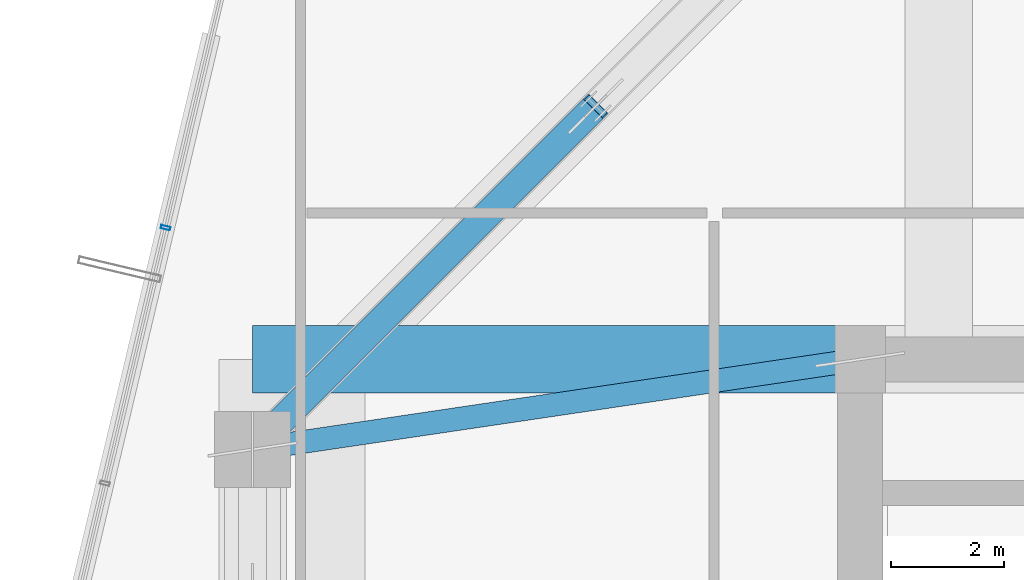
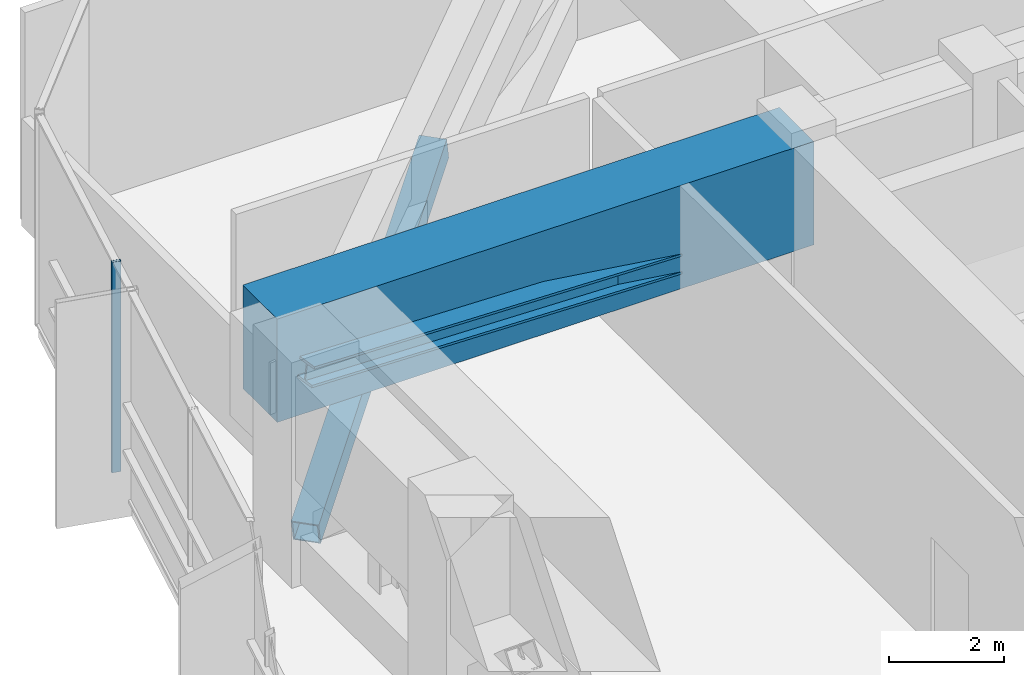
# One storey, part 12 of 41: 3 members, 1 beam, 1 element without a shape of its own.
"""IFC4 building model written with IfcOpenShell, lengths in metres."""

import ifcopenshell
import ifcopenshell.guid

model = None  # the IFC model being written
_history = None  # IfcOwnerHistory: only IFC2X3 demands one
_inside = {}  # id of a spatial element -> (the spatial element, [elements in it])
_under = {}  # id of a project, library or spatial element -> (it, [spatial elements below it])
_declared = {}  # id of a project -> (the project, [libraries it declares])
_typed = {}  # id of a type object -> (the type object, [elements of that type])
_made_of = {}  # id of a material, layer set ... -> (it, [elements and type objects made of it])


def new_model(schema):
    """Start an empty IFC model of exactly this schema.

    Asked for "IFC4X3", IfcOpenShell would pick the latest addendum, in which some entities
    have other attributes; the version numbers below select the first issue.
    IFC2X3 requires an IfcOwnerHistory on every rooted entity: one is made here for all.
    """
    global model, _history
    if schema == "IFC4X3":
        model = ifcopenshell.file(schema_version=(4, 3, 0, 0))
    else:
        model = ifcopenshell.file(schema=schema)
    _inside.clear()
    _under.clear()
    _declared.clear()
    _typed.clear()
    _made_of.clear()
    _history = None
    if model.schema == "IFC2X3":
        org = make("IfcOrganization", Name="unknown")
        user = make(
            "IfcPersonAndOrganization",
            ThePerson=make("IfcPerson", FamilyName="unknown"),
            TheOrganization=org,
        )
        app = make(
            "IfcApplication",
            ApplicationDeveloper=org,
            Version="unknown",
            ApplicationFullName="unknown",
            ApplicationIdentifier="unknown",
        )
        _history = make(
            "IfcOwnerHistory",
            OwningUser=user,
            OwningApplication=app,
            ChangeAction="ADDED",
            CreationDate=0,
        )
    return model


def make(cls, **values):
    """One entity of the class cls with the attributes given. An attribute that is None is left unset."""
    return model.create_entity(
        cls, **{name: value for name, value in values.items() if value is not None}
    )


def rooted(cls, **values):
    """An entity with a GlobalId (a new one), such as an element, a storey or a relation."""
    return make(cls, GlobalId=ifcopenshell.guid.new(), OwnerHistory=_history, **values)


def si_unit(unit_type, name, prefix=None):
    """IfcSIUnit, for example si_unit("LENGTHUNIT", "METRE", prefix="MILLI")."""
    return make("IfcSIUnit", UnitType=unit_type, Prefix=prefix, Name=name)


def assignment(units):
    """IfcUnitAssignment: the units of a project."""
    return None if units is None else make("IfcUnitAssignment", Units=units)


def point(xyz):
    """IfcCartesianPoint."""
    return None if xyz is None else make("IfcCartesianPoint", Coordinates=xyz)


def direction(xyz):
    """IfcDirection."""
    return None if xyz is None else make("IfcDirection", DirectionRatios=xyz)


def frame(location, z_axis=None, x_axis=None):
    """IfcAxis2Placement3D, a coordinate frame: its origin and axes. An axis left out is left unset."""
    return make(
        "IfcAxis2Placement3D",
        Location=point(location),
        Axis=direction(z_axis),
        RefDirection=direction(x_axis),
    )


def frame_2d(location, x_axis=None):
    """IfcAxis2Placement2D, a coordinate frame in the plane: its origin and x axis."""
    return make(
        "IfcAxis2Placement2D", Location=point(location), RefDirection=direction(x_axis)
    )


def origin():
    """The frame at (0, 0, 0) with its axes left unset."""
    return frame((0.0, 0.0, 0.0))


def origin_2d():
    """The frame at (0, 0) in the plane with its x axis left unset."""
    return frame_2d((0.0, 0.0))


def place(relative_to, where):
    """IfcLocalPlacement: puts the frame where relative to a parent placement (None: the world)."""
    return make(
        "IfcLocalPlacement", PlacementRelTo=relative_to, RelativePlacement=where
    )


def context(
    kind, dimensions, precision=None, world=None, true_north=None, identifier=None
):
    """IfcGeometricRepresentationContext, for example the 3D "Model" context."""
    return make(
        "IfcGeometricRepresentationContext",
        ContextIdentifier=identifier,
        ContextType=kind,
        CoordinateSpaceDimension=dimensions,
        Precision=precision,
        WorldCoordinateSystem=world,
        TrueNorth=true_north,
    )


def subcontext(parent, identifier, kind, view, scale=None):
    """IfcGeometricRepresentationSubContext, for example "Body" below "Model"."""
    return make(
        "IfcGeometricRepresentationSubContext",
        ContextIdentifier=identifier,
        ContextType=kind,
        ParentContext=parent,
        TargetScale=scale,
        TargetView=view,
    )


def project(units=None, contexts=None):
    """IfcProject with its units and contexts."""
    return rooted(
        "IfcProject",
        Name="project",
        RepresentationContexts=contexts,
        UnitsInContext=assignment(units),
    )


def spatial(cls, under=None, at=None, **own):
    """A site, building, storey or space (cls), placed at a placement, below another one or the project."""
    s = rooted(cls, ObjectPlacement=at, **own)
    if under is not None:
        _under.setdefault(under.id(), (under, []))[1].append(s)
    return s


def profile(cls, at=None, kind="AREA", **sizes):
    """A parametric profile (cls). Its sizes go by their IFC names, for example OverallWidth=200.0."""
    return make(cls, ProfileType=kind, Position=at, **sizes)


def rectangle(**sizes):
    """IfcRectangleProfileDef."""
    return profile("IfcRectangleProfileDef", **sizes)


def hollow_rectangle(**sizes):
    """IfcRectangleHollowProfileDef."""
    return profile("IfcRectangleHollowProfileDef", **sizes)


def i_section(**sizes):
    """IfcIShapeProfileDef."""
    return profile("IfcIShapeProfileDef", **sizes)


def extrude(swept, where, along, depth):
    """IfcExtrudedAreaSolid: the profile swept, set in the frame where, extruded along a direction by depth."""
    return make(
        "IfcExtrudedAreaSolid",
        SweptArea=swept,
        Position=where,
        ExtrudedDirection=direction(along),
        Depth=depth,
    )


def shape(context_of_items, identifier, shape_type, items):
    """IfcShapeRepresentation: the items that make up one representation, for example the "Body"."""
    return make(
        "IfcShapeRepresentation",
        ContextOfItems=context_of_items,
        RepresentationIdentifier=identifier,
        RepresentationType=shape_type,
        Items=items,
    )


def source(mapping_origin, context_of_items, identifier, shape_type, items):
    """IfcRepresentationMap: a shape defined once, which mapped items show again and again."""
    return make(
        "IfcRepresentationMap",
        MappingOrigin=mapping_origin,
        MappedRepresentation=shape(context_of_items, identifier, shape_type, items),
    )


def transform(
    local_origin,
    x_axis=None,
    y_axis=None,
    z_axis=None,
    scale=None,
    scale2=None,
    scale3=None,
    uniform=True,
):
    """IfcCartesianTransformationOperator3D, or its non-uniform kind. x_axis, y_axis, z_axis: its Axis1, 2, 3."""
    if uniform:
        return make(
            "IfcCartesianTransformationOperator3D",
            Axis1=direction(x_axis),
            Axis2=direction(y_axis),
            LocalOrigin=point(local_origin),
            Scale=scale,
            Axis3=direction(z_axis),
        )
    return make(
        "IfcCartesianTransformationOperator3DnonUniform",
        Axis1=direction(x_axis),
        Axis2=direction(y_axis),
        LocalOrigin=point(local_origin),
        Scale=scale,
        Axis3=direction(z_axis),
        Scale2=scale2,
        Scale3=scale3,
    )


def mapped(mapping_source, mapping_target):
    """IfcMappedItem: shows the shape of a source again, moved by a transform."""
    return make(
        "IfcMappedItem", MappingSource=mapping_source, MappingTarget=mapping_target
    )


def material(Name=None, Category=None):
    """IfcMaterial."""
    return make("IfcMaterial", Name=Name, Category=Category)


def layer(
    of_material, thickness, ventilated=None, Name=None, Category=None, Priority=None
):
    """IfcMaterialLayer: one layer of a wall or slab, of a material (None: an air gap)."""
    return make(
        "IfcMaterialLayer",
        Material=of_material,
        LayerThickness=thickness,
        IsVentilated=ventilated,
        Name=Name,
        Category=Category,
        Priority=Priority,
    )


def layer_set(layers, Name=None):
    """IfcMaterialLayerSet."""
    return make("IfcMaterialLayerSet", MaterialLayers=layers, LayerSetName=Name)


def material_profile(
    of_material, cross_section, Name=None, Category=None, Priority=None
):
    """IfcMaterialProfile: a cross section and its material."""
    return make(
        "IfcMaterialProfile",
        Name=Name,
        Material=of_material,
        Profile=cross_section,
        Priority=Priority,
        Category=Category,
    )


def profile_set(profiles, Name=None, composite=None):
    """IfcMaterialProfileSet."""
    return make(
        "IfcMaterialProfileSet",
        Name=Name,
        MaterialProfiles=profiles,
        CompositeProfile=composite,
    )


def made_of(thing, what):
    """Note that an element or type object is made of a material, layer set ...; save() writes the relation."""
    if what is not None:
        _made_of.setdefault(what.id(), (what, []))[1].append(thing)
    return thing


def type_object(cls, material=None, **own):
    """A type object (cls), such as IfcWallType, which elements share."""
    return made_of(rooted(cls, **own), material)


def element(
    cls,
    number,
    at=None,
    inside=None,
    cuts=None,
    type_object=None,
    material=None,
    context=None,
    identifier="Body",
    shape_type=None,
    held_by="IfcProductDefinitionShape",
    body=None,
    shapes=None,
    **own,
):
    """One element of the class cls, such as IfcWall. Its Tag is "e" and its number.

    at: its placement. inside: the storey or other place that contains it. cuts: it is an
    opening in that element (IfcRelVoidsElement). A single representation is given by context,
    identifier, shape_type and body (its items); several are given by shapes. held_by: the class
    of the entity that holds the representations. save() writes the other relations.
    """
    e = rooted(cls, Tag="e%d" % number, ObjectPlacement=at, **own)
    if body is not None:
        shapes = [shape(context, identifier, shape_type, body)]
    if shapes is not None:
        e.Representation = make(held_by, Representations=shapes)
    if inside is not None:
        _inside.setdefault(inside.id(), (inside, []))[1].append(e)
    if cuts is not None:
        rooted(
            "IfcRelVoidsElement", RelatingBuildingElement=cuts, RelatedOpeningElement=e
        )
    if type_object is not None:
        _typed.setdefault(type_object.id(), (type_object, []))[1].append(e)
    return made_of(e, material)


def aggregate(whole, parts):
    """IfcRelAggregates: a whole, such as a stair, and the parts it consists of."""
    return rooted("IfcRelAggregates", RelatingObject=whole, RelatedObjects=parts)


def save(model, path):
    """Write the relations noted so far, then the file.

    IfcRelAggregates (storeys below a building ...), IfcRelContainedInSpatialStructure (elements
    in a storey), IfcRelDefinesByType, IfcRelAssociatesMaterial and IfcRelDeclares: one each for
    every whole, place, type object, material and project.
    """
    for whole, parts in _under.values():
        aggregate(whole, parts)
    for where, things in _inside.values():
        rooted(
            "IfcRelContainedInSpatialStructure",
            RelatedElements=things,
            RelatingStructure=where,
        )
    for kind, things in _typed.values():
        rooted("IfcRelDefinesByType", RelatedObjects=things, RelatingType=kind)
    for what, things in _made_of.values():
        rooted("IfcRelAssociatesMaterial", RelatedObjects=things, RelatingMaterial=what)
    for by, libraries in _declared.values():
        rooted("IfcRelDeclares", RelatingContext=by, RelatedDefinitions=libraries)
    model.write(path)


model = new_model("IFC4")

# Units and contexts
model_context = context("Model", 3, precision=1e-05, world=origin(), true_north=direction((0.0, 1.0)))
body_context = subcontext(model_context, "Body", "Model", "MODEL_VIEW")
ifc_project = project(units=[si_unit("LENGTHUNIT", "METRE"), si_unit("AREAUNIT", "SQUARE_METRE"), si_unit("VOLUMEUNIT", "CUBIC_METRE"), si_unit("PLANEANGLEUNIT", "RADIAN"), si_unit("MASSUNIT", "GRAM", prefix="KILO")], contexts=[model_context])

# Site, building, storey
site_placement = place(None, origin())
site = spatial("IfcSite", under=ifc_project, at=site_placement, CompositionType="ELEMENT")
building_placement = place(site_placement, origin())
building = spatial("IfcBuilding", under=site, at=building_placement, Name="Veraguas Prism Commons", CompositionType="ELEMENT")
storey_placement = place(building_placement, frame((0.0, 0.0, 80.35009765625)))
storey = spatial("IfcBuildingStorey", under=building, at=storey_placement, Name="L22", CompositionType="ELEMENT", Elevation=80.35009765625)

# Members
ifc_material_1 = material(Name="Steel ASTM A992 Grade 50", Category="steel")
ifc_material_profile_1 = material_profile(ifc_material_1, i_section(OverallWidth=0.408935546875, OverallDepth=0.425048828125, WebThickness=0.030517578125, FlangeThickness=0.049072265625, at=origin_2d()), Name="W360X421")
ifc_profile_set_1 = profile_set([ifc_material_profile_1], Name="Steel ASTM A992 Grade 50")
member_type_1 = type_object("IfcMemberType", Name="Outrigger Truss Diagonal W360x421", PredefinedType="BRACE", material=ifc_profile_set_1)
member_1_placement = place(storey_placement, frame((17.199951171875, 31.0, 2.419921875), z_axis=(-0.979505763607, -0.145120165804, 0.139673177585), x_axis=(0.146556765224, -0.989202261707, 0.0)))
element("IfcMember", 1, at=member_1_placement, inside=storey, type_object=member_type_1, Name="Outrigger Truss Diagonal L22-03", PredefinedType="BRACE", context=body_context, shape_type="SweptSolid", body=[
    extrude(i_section(OverallWidth=0.408935546875, OverallDepth=0.425048828125, WebThickness=0.030517578125, FlangeThickness=0.049072265625, at=origin_2d()), origin(), (0.0, 0.0, 1.0), 11.026123046875),
])
ifc_material_2 = material(Name="Steel ASTM A572 Grade 50", Category="steel")
ifc_material_profile_2 = material_profile(ifc_material_2, hollow_rectangle(XDim=0.5, YDim=0.5, WallThickness=0.02490234375, at=origin_2d()), Name="BOX500X500X25")
ifc_profile_set_2 = profile_set([ifc_material_profile_2], Name="Steel ASTM A572 Grade 50")
member_type_2 = type_object("IfcMemberType", Name="Perimeter Belt Diagonal BOX 500x500x25", PredefinedType="BRACE", material=ifc_profile_set_2)
member_2_placement = place(storey_placement, frame((6.39990234375, 29.39990234375, 0.5498046875), z_axis=(0.681639462261, 0.681639462261, 0.265961062898), x_axis=(-0.707106781187, 0.707106781187, 0.0)))
element("IfcMember", 2, at=member_2_placement, inside=storey, type_object=member_type_2, Name="Perimeter Belt Truss Brace L22-06B", PredefinedType="BRACE", context=body_context, shape_type="SweptSolid", body=[
    extrude(hollow_rectangle(XDim=0.5, YDim=0.5, WallThickness=0.02490234375, at=origin_2d()), origin(), (0.0, 0.0, 1.0), 8.94921875),
])

# Beam
ifc_material_3 = material(Name="Concrete C50/60", Category="concrete")
ifc_material_profile_3 = material_profile(ifc_material_3, rectangle(XDim=1.199951171875, YDim=2.199951171875, at=origin_2d()), Name="RC1200X2200")
ifc_profile_set_3 = profile_set([ifc_material_profile_3], Name="Concrete C50/60")
beam_type = type_object("IfcBeamType", Name="Podium Transfer Girder RC 1200x2200", PredefinedType="BEAM", material=ifc_profile_set_3)
beam_placement = place(storey_placement, frame((6.39990234375, 31.0, 3.3798828125), z_axis=(1.0, 0.0, 0.0), x_axis=(0.0, 1.0, 0.0)))
element("IfcBeam", 3, at=beam_placement, inside=storey, type_object=beam_type, Name="Outrigger Transfer Girder L22-XNW", PredefinedType="BEAM", context=body_context, shape_type="SweptSolid", body=[
    extrude(rectangle(XDim=1.199951171875, YDim=2.199951171875, at=origin_2d()), origin(), (0.0, 0.0, 1.0), 10.800048828125),
])

# Curtain wall, member
ifc_material_4 = material(Name="Anodised aluminium EN AW-6063 T6", Category="aluminium")
ifc_layer = layer(ifc_material_4, 0.169921875, Name="Unitised Flush Curtain Wall Zone 1", Category="aluminium")
ifc_layer_set = layer_set([ifc_layer], Name="Anodised aluminium EN AW-6063 T6")
curtain_wall_type = type_object("IfcCurtainWallType", Name="Unitised Flush Curtain Wall Zone 1", PredefinedType="NOTDEFINED", material=ifc_layer_set)
curtain_wall_placement = place(storey_placement, origin())
curtain_wall = element("IfcCurtainWall", 4, at=curtain_wall_placement, inside=storey, type_object=curtain_wall_type, Name="Tower Facade Curtain Wall L22-F3", PredefinedType="NOTDEFINED")
ifc_material_profile_4 = material_profile(ifc_material_4, hollow_rectangle(XDim=0.06005859375, YDim=0.169921875, WallThickness=0.00390625, at=origin_2d()), Name="AL60X170X4")
ifc_profile_set_4 = profile_set([ifc_material_profile_4], Name="Anodised aluminium EN AW-6063 T6")
member_type_3 = type_object("IfcMemberType", Name="Curtain Wall Mullion Lower AL 60x170x4", PredefinedType="MULLION", material=ifc_profile_set_4)
shared_shape = source(origin(), body_context, "Body", "SweptSolid", [
    extrude(hollow_rectangle(XDim=0.06005859375, YDim=0.169921875, WallThickness=0.00390625, at=origin_2d()), origin(), (0.0, 0.0, 1.0), 4.47998046875),
])
member_3_placement = place(storey_placement, frame((4.85400390625, 33.340576171875, 0.0), z_axis=(0.0, 0.0, 1.0), x_axis=(-0.2307341828, -0.97301682251, 0.0)))
member_3 = element("IfcMember", 5, at=member_3_placement, type_object=member_type_3, Name="CW-Z1 Mullion 2", PredefinedType="MULLION", context=body_context, shape_type="MappedRepresentation", body=[
    mapped(shared_shape, transform((0.0, 0.0, 0.0), scale=1.0)),
])
aggregate(curtain_wall, [member_3])

save(model, "model.ifc")
